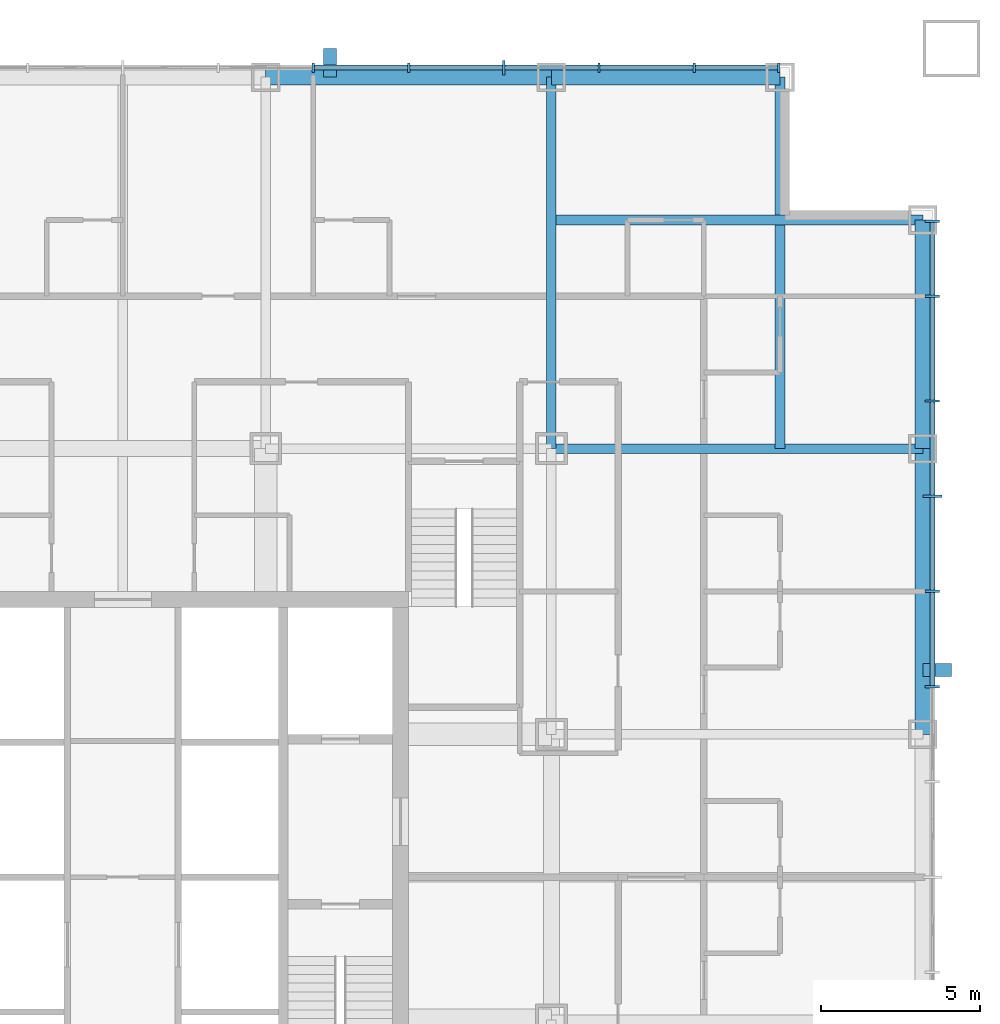
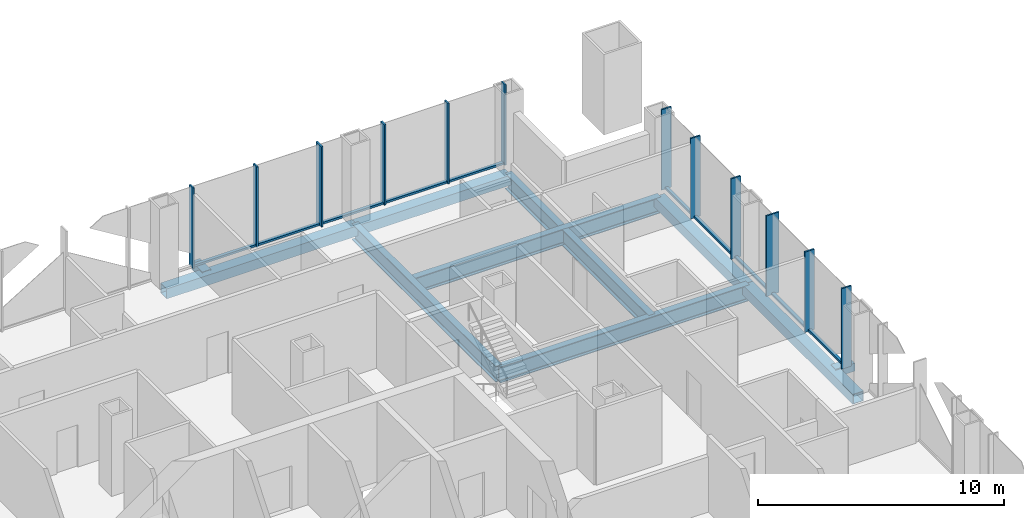
# One storey, part 5 of 13: 24 members, 8 beams, 2 elements without a shape of their own.
"""IFC4 building model written with IfcOpenShell, lengths in metres."""

from ifc_helpers import new_model, si_unit, direction, frame, origin, origin_2d, place, context, subcontext, project, spatial, rectangle, hollow_rectangle, i_section, extrude, material, layer, layer_set, material_profile, profile_set, type_object, element, aggregate, save


model = new_model("IFC4")

# Units and contexts
model_context = context("Model", 3, precision=1e-05, world=origin(), true_north=direction((0.0, 1.0)))
body_context = subcontext(model_context, "Body", "Model", "MODEL_VIEW")
ifc_project = project(units=[si_unit("LENGTHUNIT", "METRE"), si_unit("AREAUNIT", "SQUARE_METRE"), si_unit("VOLUMEUNIT", "CUBIC_METRE"), si_unit("PLANEANGLEUNIT", "RADIAN"), si_unit("MASSUNIT", "GRAM", prefix="KILO")], contexts=[model_context])

# Site, building, storey
site_placement = place(None, origin())
site = spatial("IfcSite", under=ifc_project, at=site_placement, CompositionType="ELEMENT")
building_placement = place(site_placement, origin())
building = spatial("IfcBuilding", under=site, at=building_placement, Name="Malebo Sky Hospital", CompositionType="ELEMENT")
storey_placement = place(building_placement, frame((0.0, 0.0, 43.0)))
storey = spatial("IfcBuildingStorey", under=building, at=storey_placement, Name="L09", CompositionType="ELEMENT", Elevation=43.0)

# Curtain wall, members
ifc_material_1 = material(Name="Anodised aluminium, natural silver", Category="aluminium")
ifc_layer_1 = layer(ifc_material_1, 0.25)
ifc_layer_set_1 = layer_set([ifc_layer_1], Name="WARD CURTAIN WALL NORTH AND SOUTH")
curtain_wall_type_1 = type_object("IfcCurtainWallType", Name="WARD CURTAIN WALL NORTH AND SOUTH", PredefinedType="NOTDEFINED", material=ifc_layer_set_1)
curtain_wall_1_placement = place(storey_placement, origin())
curtain_wall_1 = element("IfcCurtainWall", 1, at=curtain_wall_1_placement, inside=storey, type_object=curtain_wall_type_1, Name="NS curtain wall N", PredefinedType="NOTDEFINED")
ifc_material_profile_1 = material_profile(ifc_material_1, rectangle(XDim=0.14990234375, YDim=0.10009765625, at=origin_2d()), Name="ALUMINIUM TRANSOM 150x100")
ifc_profile_set_1 = profile_set([ifc_material_profile_1], Name="Anodised aluminium, natural silver")
member_type_1 = type_object("IfcMemberType", Name="ALUMINIUM TRANSOM 150x100", PredefinedType="USERDEFINED", material=ifc_profile_set_1)
member_1_placement = place(storey_placement, frame((66.03759765625, 87.5, 0.050048828125), z_axis=(1.0, 0.0, 0.0), x_axis=(0.0, 1.0, 0.0)))
member_1 = element("IfcMember", 2, at=member_1_placement, type_object=member_type_1, Name="Transom 10", ObjectType="TRANSOM", PredefinedType="USERDEFINED", context=body_context, shape_type="SweptSolid", body=[
    extrude(rectangle(XDim=0.14990234375, YDim=0.10009765625, at=origin_2d()), origin(), (0.0, 0.0, 1.0), 2.9248046875),
])
member_2_placement = place(storey_placement, frame((69.03759765625, 87.5, 0.050048828125), z_axis=(1.0, 0.0, 0.0), x_axis=(0.0, 1.0, 0.0)))
member_2 = element("IfcMember", 3, at=member_2_placement, type_object=member_type_1, Name="Transom 11", ObjectType="TRANSOM", PredefinedType="USERDEFINED", context=body_context, shape_type="SweptSolid", body=[
    extrude(rectangle(XDim=0.14990234375, YDim=0.10009765625, at=origin_2d()), origin(), (0.0, 0.0, 1.0), 2.9248046875),
])
member_3_placement = place(storey_placement, frame((72.03759765625, 87.5, 0.050048828125), z_axis=(1.0, 0.0, 0.0), x_axis=(0.0, 1.0, 0.0)))
member_3 = element("IfcMember", 4, at=member_3_placement, type_object=member_type_1, Name="Transom 12", ObjectType="TRANSOM", PredefinedType="USERDEFINED", context=body_context, shape_type="SweptSolid", body=[
    extrude(rectangle(XDim=0.14990234375, YDim=0.10009765625, at=origin_2d()), origin(), (0.0, 0.0, 1.0), 2.9248046875),
])
member_4_placement = place(storey_placement, frame((75.03759765625, 87.5, 0.050048828125), z_axis=(1.0, 0.0, 0.0), x_axis=(0.0, 1.0, 0.0)))
member_4 = element("IfcMember", 5, at=member_4_placement, type_object=member_type_1, Name="Transom 13", ObjectType="TRANSOM", PredefinedType="USERDEFINED", context=body_context, shape_type="SweptSolid", body=[
    extrude(rectangle(XDim=0.14990234375, YDim=0.10009765625, at=origin_2d()), origin(), (0.0, 0.0, 1.0), 2.9248046875),
])
member_5_placement = place(storey_placement, frame((78.03759765625, 87.5, 0.050048828125), z_axis=(1.0, 0.0, 0.0), x_axis=(0.0, 1.0, 0.0)))
member_5 = element("IfcMember", 6, at=member_5_placement, type_object=member_type_1, Name="Transom 14", ObjectType="TRANSOM", PredefinedType="USERDEFINED", context=body_context, shape_type="SweptSolid", body=[
    extrude(rectangle(XDim=0.14990234375, YDim=0.10009765625, at=origin_2d()), origin(), (0.0, 0.0, 1.0), 2.58740234375),
])

ifc_layer_2 = layer(ifc_material_1, 0.25)
ifc_layer_set_2 = layer_set([ifc_layer_2], Name="WARD CURTAIN WALL EAST AND WEST")
curtain_wall_type_2 = type_object("IfcCurtainWallType", Name="WARD CURTAIN WALL EAST AND WEST", PredefinedType="NOTDEFINED", material=ifc_layer_set_2)
curtain_wall_2_placement = place(storey_placement, origin())
curtain_wall_2 = element("IfcCurtainWall", 7, at=curtain_wall_2_placement, inside=storey, type_object=curtain_wall_type_2, Name="EW curtain wall E", PredefinedType="NOTDEFINED")
member_6_placement = place(storey_placement, frame((85.5, 82.625, 0.050048828125), z_axis=(0.0, -1.0, 0.0), x_axis=(1.0, 0.0, 0.0)))
member_6 = element("IfcMember", 8, at=member_6_placement, type_object=member_type_1, Name="Transom 1", ObjectType="TRANSOM", PredefinedType="USERDEFINED", context=body_context, shape_type="SweptSolid", body=[
    extrude(rectangle(XDim=0.14990234375, YDim=0.10009765625, at=origin_2d()), origin(), (0.0, 0.0, 1.0), 2.28759765625),
])
member_7_placement = place(storey_placement, frame((85.5, 80.262451171875, 0.050048828125), z_axis=(0.0, -1.0, 0.0), x_axis=(1.0, 0.0, 0.0)))
member_7 = element("IfcMember", 9, at=member_7_placement, type_object=member_type_1, Name="Transom 2", ObjectType="TRANSOM", PredefinedType="USERDEFINED", context=body_context, shape_type="SweptSolid", body=[
    extrude(rectangle(XDim=0.14990234375, YDim=0.10009765625, at=origin_2d()), origin(), (0.0, 0.0, 1.0), 3.224853515625),
])
member_8_placement = place(storey_placement, frame((85.5, 76.96240234375, 0.050048828125), z_axis=(0.0, -1.0, 0.0), x_axis=(1.0, 0.0, 0.0)))
member_8 = element("IfcMember", 10, at=member_8_placement, type_object=member_type_1, Name="Transom 3", ObjectType="TRANSOM", PredefinedType="USERDEFINED", context=body_context, shape_type="SweptSolid", body=[
    extrude(rectangle(XDim=0.14990234375, YDim=0.10009765625, at=origin_2d()), origin(), (0.0, 0.0, 1.0), 2.9248046875),
])
member_9_placement = place(storey_placement, frame((85.5, 73.96240234375, 0.050048828125), z_axis=(0.0, -1.0, 0.0), x_axis=(1.0, 0.0, 0.0)))
member_9 = element("IfcMember", 11, at=member_9_placement, type_object=member_type_1, Name="Transom 4", ObjectType="TRANSOM", PredefinedType="USERDEFINED", context=body_context, shape_type="SweptSolid", body=[
    extrude(rectangle(XDim=0.14990234375, YDim=0.10009765625, at=origin_2d()), origin(), (0.0, 0.0, 1.0), 2.9248046875),
])
member_10_placement = place(storey_placement, frame((85.5, 70.96240234375, 0.050048828125), z_axis=(0.0, -1.0, 0.0), x_axis=(1.0, 0.0, 0.0)))
member_10 = element("IfcMember", 12, at=member_10_placement, type_object=member_type_1, Name="Transom 5", ObjectType="TRANSOM", PredefinedType="USERDEFINED", context=body_context, shape_type="SweptSolid", body=[
    extrude(rectangle(XDim=0.14990234375, YDim=0.10009765625, at=origin_2d()), origin(), (0.0, 0.0, 1.0), 2.9248046875),
])

# Members
ifc_material_2 = material(Name="Steel S355", Category="steel")
ifc_material_profile_2 = material_profile(ifc_material_2, hollow_rectangle(XDim=0.39990234375, YDim=0.39990234375, WallThickness=0.02001953125, at=origin_2d()), Name="SHS 400x20")
ifc_profile_set_2 = profile_set([ifc_material_profile_2], Name="Steel S355")
member_type_2 = type_object("IfcMemberType", Name="BRACE STRUT SHS 400x20", PredefinedType="STRUT", material=ifc_profile_set_2)
for number, where, z_axis, x_axis, name in (
    (13, (66.52490234375, 88.10009765625, -0.39990234375), (0.0, -1.0, 0.0), (1.0, 0.0, 0.0), "Brace strut AN1 L09"),
    (14, (86.10009765625, 68.52490234375, -0.39990234375), (-1.0, 0.0, 0.0), (0.0, -1.0, 0.0), "Brace strut AE2 L09"),
):
    element("IfcMember", number, at=place(storey_placement, frame(where, z_axis=z_axis, x_axis=x_axis)), inside=storey, type_object=member_type_2, Name=name, PredefinedType="STRUT", context=body_context, shape_type="SweptSolid", body=[
        extrude(hollow_rectangle(XDim=0.39990234375, YDim=0.39990234375, WallThickness=0.02001953125, at=origin_2d()), origin(), (0.0, 0.0, 1.0), 0.900146484375),
    ])

# Member
ifc_material_profile_3 = material_profile(ifc_material_1, rectangle(XDim=0.074951171875, YDim=0.300048828125, at=origin_2d()), Name="CW1 ALUMINIUM FIN MULLION 75x300")
ifc_profile_set_3 = profile_set([ifc_material_profile_3], Name="Anodised aluminium, natural silver")
member_type_3 = type_object("IfcMemberType", Name="CW1 ALUMINIUM FIN MULLION 75x300", PredefinedType="MULLION", material=ifc_profile_set_3)
member_11_placement = place(storey_placement, frame((66.0, 87.5, 0.0), z_axis=(0.0, 0.0, 1.0), x_axis=(1.0, 0.0, 0.0)))
member_11 = element("IfcMember", 15, at=member_11_placement, type_object=member_type_3, Name="Fin mullion 10", PredefinedType="MULLION", context=body_context, shape_type="SweptSolid", body=[
    extrude(rectangle(XDim=0.074951171875, YDim=0.300048828125, at=origin_2d()), origin(), (0.0, 0.0, 1.0), 4.0),
])

member_12_placement = place(storey_placement, frame((69.0, 87.5, 0.0), z_axis=(0.0, 0.0, 1.0), x_axis=(1.0, 0.0, 0.0)))
member_12 = element("IfcMember", 16, at=member_12_placement, type_object=member_type_3, Name="Fin mullion 11", PredefinedType="MULLION", context=body_context, shape_type="SweptSolid", body=[
    extrude(rectangle(XDim=0.074951171875, YDim=0.300048828125, at=origin_2d()), origin(), (0.0, 0.0, 1.0), 4.0),
])

member_13_placement = place(storey_placement, frame((75.0, 87.5, 0.0), z_axis=(0.0, 0.0, 1.0), x_axis=(1.0, 0.0, 0.0)))
member_13 = element("IfcMember", 17, at=member_13_placement, type_object=member_type_3, Name="Fin mullion 13", PredefinedType="MULLION", context=body_context, shape_type="SweptSolid", body=[
    extrude(rectangle(XDim=0.074951171875, YDim=0.300048828125, at=origin_2d()), origin(), (0.0, 0.0, 1.0), 4.0),
])

member_14_placement = place(storey_placement, frame((78.0, 87.5, 0.0), z_axis=(0.0, 0.0, 1.0), x_axis=(1.0, 0.0, 0.0)))
member_14 = element("IfcMember", 18, at=member_14_placement, type_object=member_type_3, Name="Fin mullion 14", PredefinedType="MULLION", context=body_context, shape_type="SweptSolid", body=[
    extrude(rectangle(XDim=0.074951171875, YDim=0.300048828125, at=origin_2d()), origin(), (0.0, 0.0, 1.0), 4.0),
])

member_15_placement = place(storey_placement, frame((80.66259765625, 87.5, 0.0), z_axis=(0.0, 0.0, 1.0), x_axis=(1.0, 0.0, 0.0)))
member_15 = element("IfcMember", 19, at=member_15_placement, type_object=member_type_3, Name="Fin mullion 15", PredefinedType="MULLION", context=body_context, shape_type="SweptSolid", body=[
    extrude(rectangle(XDim=0.074951171875, YDim=0.300048828125, at=origin_2d()), origin(), (0.0, 0.0, 1.0), 4.0),
])

ifc_material_profile_4 = material_profile(ifc_material_1, rectangle(XDim=0.074951171875, YDim=0.449951171875, at=origin_2d()), Name="CW1 ALUMINIUM FIN MULLION 75x450")
ifc_profile_set_4 = profile_set([ifc_material_profile_4], Name="Anodised aluminium, natural silver")
member_type_4 = type_object("IfcMemberType", Name="CW1 ALUMINIUM FIN MULLION 75x450", PredefinedType="MULLION", material=ifc_profile_set_4)
member_16_placement = place(storey_placement, frame((72.0, 87.5, 0.0), z_axis=(0.0, 0.0, 1.0), x_axis=(1.0, 0.0, 0.0)))
member_16 = element("IfcMember", 20, at=member_16_placement, type_object=member_type_4, Name="Fin mullion 12", PredefinedType="MULLION", context=body_context, shape_type="SweptSolid", body=[
    extrude(rectangle(XDim=0.074951171875, YDim=0.449951171875, at=origin_2d()), origin(), (0.0, 0.0, 1.0), 4.0),
])

aggregate(curtain_wall_1, [member_11, member_12, member_16, member_13, member_14, member_15, member_1, member_2, member_3, member_4, member_5])

ifc_material_profile_5 = material_profile(ifc_material_1, rectangle(XDim=0.074951171875, YDim=0.449951171875, at=origin_2d()), Name="CW2 ALUMINIUM FIN MULLION 75x450")
ifc_profile_set_5 = profile_set([ifc_material_profile_5], Name="Anodised aluminium, natural silver")
member_type_5 = type_object("IfcMemberType", Name="CW2 ALUMINIUM FIN MULLION 75x450", PredefinedType="MULLION", material=ifc_profile_set_5)
member_17_placement = place(storey_placement, frame((85.5, 82.66259765625, 0.0), z_axis=(0.0, 0.0, 1.0), x_axis=(0.0, -1.0, 0.0)))
member_17 = element("IfcMember", 21, at=member_17_placement, type_object=member_type_5, Name="Fin mullion 1", PredefinedType="MULLION", context=body_context, shape_type="SweptSolid", body=[
    extrude(rectangle(XDim=0.074951171875, YDim=0.449951171875, at=origin_2d()), origin(), (0.0, 0.0, 1.0), 4.0),
])

member_18_placement = place(storey_placement, frame((85.5, 80.300048828125, 0.0), z_axis=(0.0, 0.0, 1.0), x_axis=(0.0, -1.0, 0.0)))
member_18 = element("IfcMember", 22, at=member_18_placement, type_object=member_type_5, Name="Fin mullion 2", PredefinedType="MULLION", context=body_context, shape_type="SweptSolid", body=[
    extrude(rectangle(XDim=0.074951171875, YDim=0.449951171875, at=origin_2d()), origin(), (0.0, 0.0, 1.0), 4.0),
])

member_19_placement = place(storey_placement, frame((85.5, 77.0, 0.0), z_axis=(0.0, 0.0, 1.0), x_axis=(0.0, -1.0, 0.0)))
member_19 = element("IfcMember", 23, at=member_19_placement, type_object=member_type_5, Name="Fin mullion 3", PredefinedType="MULLION", context=body_context, shape_type="SweptSolid", body=[
    extrude(rectangle(XDim=0.074951171875, YDim=0.449951171875, at=origin_2d()), origin(), (0.0, 0.0, 1.0), 4.0),
])

member_20_placement = place(storey_placement, frame((85.5, 71.0, 0.0), z_axis=(0.0, 0.0, 1.0), x_axis=(0.0, -1.0, 0.0)))
member_20 = element("IfcMember", 24, at=member_20_placement, type_object=member_type_5, Name="Fin mullion 5", PredefinedType="MULLION", context=body_context, shape_type="SweptSolid", body=[
    extrude(rectangle(XDim=0.074951171875, YDim=0.449951171875, at=origin_2d()), origin(), (0.0, 0.0, 1.0), 4.0),
])

member_21_placement = place(storey_placement, frame((85.5, 68.0, 0.0), z_axis=(0.0, 0.0, 1.0), x_axis=(0.0, -1.0, 0.0)))
member_21 = element("IfcMember", 25, at=member_21_placement, type_object=member_type_5, Name="Fin mullion 6", PredefinedType="MULLION", context=body_context, shape_type="SweptSolid", body=[
    extrude(rectangle(XDim=0.074951171875, YDim=0.449951171875, at=origin_2d()), origin(), (0.0, 0.0, 1.0), 4.0),
])

ifc_material_profile_6 = material_profile(ifc_material_1, rectangle(XDim=0.074951171875, YDim=0.60009765625, at=origin_2d()), Name="CW2 ALUMINIUM FIN MULLION 75x600")
ifc_profile_set_6 = profile_set([ifc_material_profile_6], Name="Anodised aluminium, natural silver")
member_type_6 = type_object("IfcMemberType", Name="CW2 ALUMINIUM FIN MULLION 75x600", PredefinedType="MULLION", material=ifc_profile_set_6)
member_22_placement = place(storey_placement, frame((85.5, 74.0, 0.0), z_axis=(0.0, 0.0, 1.0), x_axis=(0.0, -1.0, 0.0)))
member_22 = element("IfcMember", 26, at=member_22_placement, type_object=member_type_6, Name="Fin mullion 4", PredefinedType="MULLION", context=body_context, shape_type="SweptSolid", body=[
    extrude(rectangle(XDim=0.074951171875, YDim=0.60009765625, at=origin_2d()), origin(), (0.0, 0.0, 1.0), 4.0),
])

aggregate(curtain_wall_2, [member_17, member_18, member_19, member_22, member_20, member_21, member_6, member_7, member_8, member_9, member_10])

# Beams
ifc_material_3 = material(Name="Steel S460", Category="steel")
ifc_material_profile_7 = material_profile(ifc_material_3, hollow_rectangle(XDim=0.5, YDim=0.5, WallThickness=0.030029296875, at=origin_2d()), Name="BOX 500x500x30")
ifc_profile_set_7 = profile_set([ifc_material_profile_7], Name="Steel S460")
beam_type_1 = type_object("IfcBeamType", Name="EDGE BEAM BOX 500x500x30", PredefinedType="BEAM", material=ifc_profile_set_7)
beam_1_placement = place(storey_placement, frame((85.199951171875, 66.5, -0.5), z_axis=(0.0, 1.0, 0.0), x_axis=(-1.0, 0.0, 0.0)))
element("IfcBeam", 27, at=beam_1_placement, inside=storey, type_object=beam_type_1, Name="Beam 032 L09", PredefinedType="BEAM", context=body_context, shape_type="SweptSolid", body=[
    extrude(hollow_rectangle(XDim=0.5, YDim=0.5, WallThickness=0.030029296875, at=origin_2d()), origin(), (0.0, 0.0, 1.0), 9.0),
])
beam_2_placement = place(storey_placement, frame((85.199951171875, 75.5, -0.5), z_axis=(0.0, 1.0, 0.0), x_axis=(-1.0, 0.0, 0.0)))
element("IfcBeam", 28, at=beam_2_placement, inside=storey, type_object=beam_type_1, Name="Beam 033 L09", PredefinedType="BEAM", context=body_context, shape_type="SweptSolid", body=[
    extrude(hollow_rectangle(XDim=0.5, YDim=0.5, WallThickness=0.030029296875, at=origin_2d()), origin(), (0.0, 0.0, 1.0), 7.199951171875),
])
beam_3_placement = place(storey_placement, frame((64.5, 87.199951171875, -0.5), z_axis=(1.0, 0.0, 0.0), x_axis=(0.0, 1.0, 0.0)))
element("IfcBeam", 29, at=beam_3_placement, inside=storey, type_object=beam_type_1, Name="Beam 066 L09", PredefinedType="BEAM", context=body_context, shape_type="SweptSolid", body=[
    extrude(hollow_rectangle(XDim=0.5, YDim=0.5, WallThickness=0.030029296875, at=origin_2d()), origin(), (0.0, 0.0, 1.0), 9.0),
])
beam_4_placement = place(storey_placement, frame((73.5, 87.199951171875, -0.5), z_axis=(1.0, 0.0, 0.0), x_axis=(0.0, 1.0, 0.0)))
element("IfcBeam", 30, at=beam_4_placement, inside=storey, type_object=beam_type_1, Name="Beam 067 L09", PredefinedType="BEAM", context=body_context, shape_type="SweptSolid", body=[
    extrude(hollow_rectangle(XDim=0.5, YDim=0.5, WallThickness=0.030029296875, at=origin_2d()), origin(), (0.0, 0.0, 1.0), 7.199951171875),
])
ifc_material_profile_8 = material_profile(ifc_material_2, i_section(OverallWidth=0.300048828125, OverallDepth=0.800048828125, WebThickness=0.017578125, FlangeThickness=0.032958984375, FilletRadius=0.030029296875, at=origin_2d()), Name="HEB 800")
ifc_profile_set_8 = profile_set([ifc_material_profile_8], Name="Steel S355")
beam_type_2 = type_object("IfcBeamType", Name="FLOOR BEAM HEB 800", PredefinedType="BEAM", material=ifc_profile_set_8)
for number, where, z_axis, x_axis, name in (
    (31, (80.699951171875, 75.5, -0.64990234375), (0.0, 1.0, 0.0), (-1.0, 0.0, 0.0), "Beam 028 L09"),
    (32, (73.5, 82.699951171875, -0.64990234375), (1.0, 0.0, 0.0), (0.0, 1.0, 0.0), "Beam 062 L09"),
):
    element("IfcBeam", number, at=place(storey_placement, frame(where, z_axis=z_axis, x_axis=x_axis)), inside=storey, type_object=beam_type_2, Name=name, PredefinedType="BEAM", context=body_context, shape_type="SweptSolid", body=[
        extrude(i_section(OverallWidth=0.300048828125, OverallDepth=0.800048828125, WebThickness=0.017578125, FlangeThickness=0.032958984375, FilletRadius=0.030029296875, at=origin_2d()), origin(), (0.0, 0.0, 1.0), 11.699951171875),
    ])
ifc_material_profile_9 = material_profile(ifc_material_2, i_section(OverallWidth=0.300048828125, OverallDepth=0.800048828125, WebThickness=0.017578125, FlangeThickness=0.032958984375, FilletRadius=0.030029296875, at=origin_2d()), Name="HEB 800")
ifc_profile_set_9 = profile_set([ifc_material_profile_9], Name="Steel S355")
beam_type_3 = type_object("IfcBeamType", Name="FLOOR GIRDER HEB 800", PredefinedType="BEAM", material=ifc_profile_set_9)
for number, where, z_axis, x_axis, name in (
    (33, (73.5, 75.5, -0.64990234375), (0.0, 1.0, 0.0), (-1.0, 0.0, 0.0), "Beam 026 L09"),
    (34, (73.5, 75.5, -0.64990234375), (1.0, 0.0, 0.0), (0.0, 1.0, 0.0), "Beam 060 L09"),
):
    element("IfcBeam", number, at=place(storey_placement, frame(where, z_axis=z_axis, x_axis=x_axis)), inside=storey, type_object=beam_type_3, Name=name, PredefinedType="BEAM", context=body_context, shape_type="SweptSolid", body=[
        extrude(i_section(OverallWidth=0.300048828125, OverallDepth=0.800048828125, WebThickness=0.017578125, FlangeThickness=0.032958984375, FilletRadius=0.030029296875, at=origin_2d()), origin(), (0.0, 0.0, 1.0), 11.699951171875),
    ])

save(model, "model.ifc")
